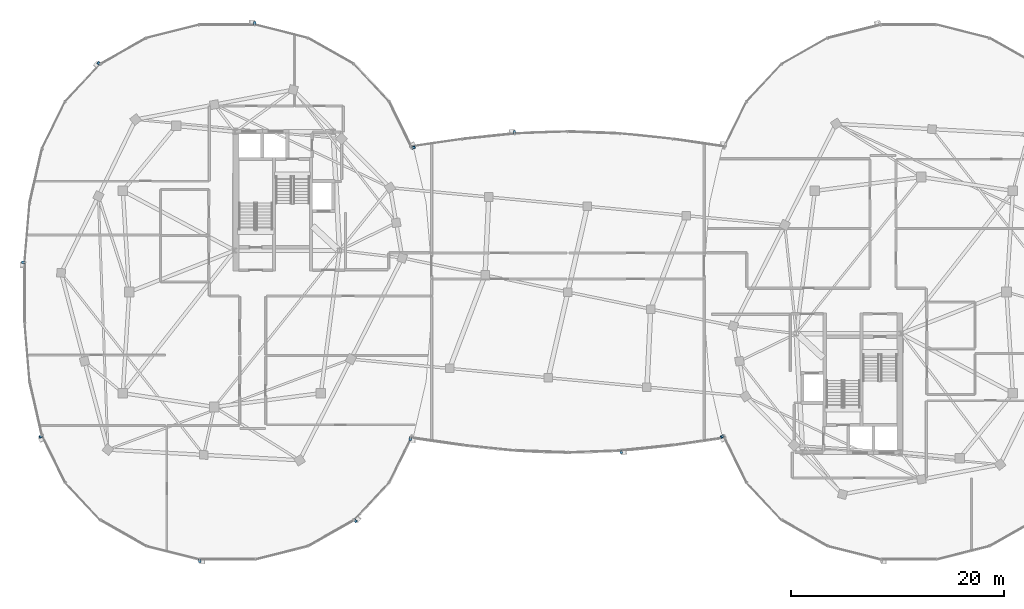
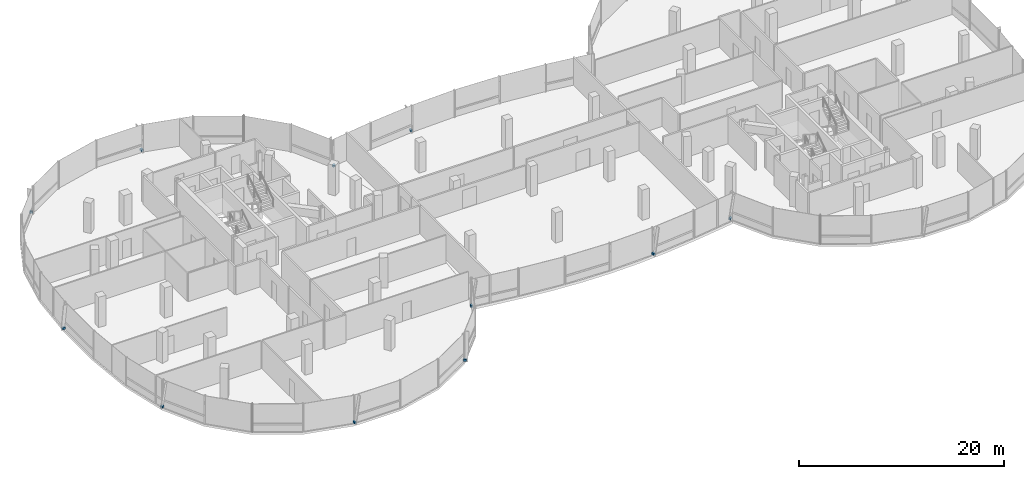
# One storey, part 18 of 25: 11 discrete accessories.
"""IFC4 building model written with IfcOpenShell, lengths in metres."""

from ifc_helpers import new_model, si_unit, direction, frame, origin, origin_2d, place, context, subcontext, project, spatial, rectangle, extrude, material, type_object, element, save


model = new_model("IFC4")

# Units and contexts
model_context = context("Model", 3, precision=1e-05, world=origin(), true_north=direction((0.0, 1.0)))
body_context = subcontext(model_context, "Body", "Model", "MODEL_VIEW")
ifc_project = project(units=[si_unit("LENGTHUNIT", "METRE"), si_unit("AREAUNIT", "SQUARE_METRE"), si_unit("VOLUMEUNIT", "CUBIC_METRE"), si_unit("PLANEANGLEUNIT", "RADIAN"), si_unit("MASSUNIT", "GRAM", prefix="KILO"), si_unit("THERMODYNAMICTEMPERATUREUNIT", "KELVIN"), si_unit("POWERUNIT", "WATT")], contexts=[model_context])

# Site, building, storey
site_placement = place(None, origin())
site = spatial("IfcSite", under=ifc_project, at=site_placement, CompositionType="ELEMENT")
building_placement = place(site_placement, origin())
building = spatial("IfcBuilding", under=site, at=building_placement, Name="Cundina Bronze Exchange", CompositionType="ELEMENT")
storey_placement = place(building_placement, frame((0.0, 0.0, 250.39990234375)))
storey = spatial("IfcBuildingStorey", under=building, at=storey_placement, Name="L66", CompositionType="ELEMENT", Elevation=250.39990234375)

# Discrete accessories
ifc_material = material(Name="Anodised Bronze Aluminium 6063-T6", Category="aluminium")
discrete_accessory_type = type_object("IfcDiscreteAccessoryType", Name="ACC-BRK-FIN", PredefinedType="BRACKET", material=ifc_material)
for number, where, z_axis, x_axis, name in (
    (1, (-14.505126953125, 13.565673828125, 0.10009765625), (0.0, 0.0, 1.0), (-0.440503330345, 0.897750976582, 0.0), "L66 Fin Support Bracket 1"),
    (2, (-29.423583984375, 25.25, 0.10009765625), (0.0, 0.0, 1.0), (-1.0, 0.0, 0.0), "L66 Fin Support Bracket 5"),
    (3, (-44.042236328125, 21.4755859375, 0.10009765625), (0.0, 0.0, 1.0), (-0.684343512797, -0.72915976061, 0.0), "L66 Fin Support Bracket 1"),
    (4, (-51.158935546875, 2.79150390625, 0.10009765625), (0.0, 0.0, 1.0), (0.0, -1.0, 0.0), "L66 Fin Support Bracket 5"),
    (5, (-49.494873046875, -13.565673828125, 0.10009765625), (0.0, 0.0, 1.0), (0.440503330345, -0.897750976582, 0.0), "L66 Fin Support Bracket 1"),
    (6, (-34.576416015625, -25.25, 0.10009765625), (0.0, 0.0, 1.0), (1.0, 0.0, 0.0), "L66 Fin Support Bracket 5"),
    (7, (-19.957763671875, -21.4755859375, 0.10009765625), (0.0, 0.0, 1.0), (0.684343512797, 0.72915976061, 0.0), "L66 Fin Support Bracket 1"),
    (8, (14.505126953125, -13.565673828125, 0.10009765625), (0.0, 0.0, 1.0), (0.440503330345, -0.897750976582, 0.0), "L66 Fin Support Bracket 1"),
    (9, (-14.799560546875, -13.79736328125, 0.10009765625), (0.0, 0.0, 1.0), (0.989528308409, -0.144338930496, 0.0), "L66 Fin Support Bracket 1"),
    (10, (5.003173828125, -15.01953125, 0.10009765625), (0.0, 0.0, 1.0), (0.994672274174, 0.103087666525, 0.0), "L66 Fin Support Bracket 5"),
    (11, (-5.003173828125, 15.01953125, 0.10009765625), (0.0, 0.0, 1.0), (-0.994672274174, -0.103087666525, 0.0), "L66 Fin Support Bracket 5"),
):
    element("IfcDiscreteAccessory", number, at=place(storey_placement, frame(where, z_axis=z_axis, x_axis=x_axis)), inside=storey, type_object=discrete_accessory_type, Name=name, PredefinedType="BRACKET", context=body_context, shape_type="SweptSolid", body=[
        extrude(rectangle(XDim=0.219970703125, YDim=0.320068359375, at=origin_2d()), origin(), (0.0, 0.0, 1.0), 0.239990234375),
    ])

save(model, "model.ifc")
